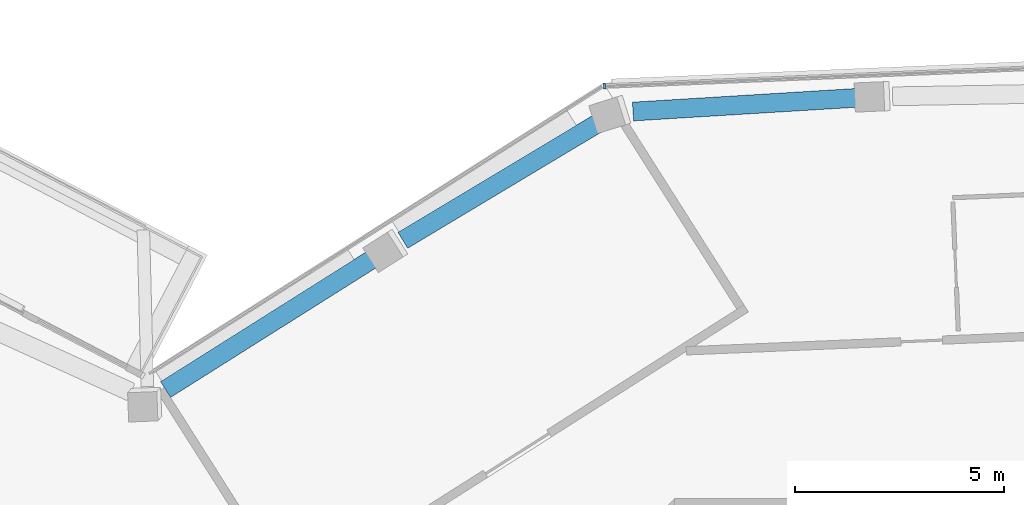
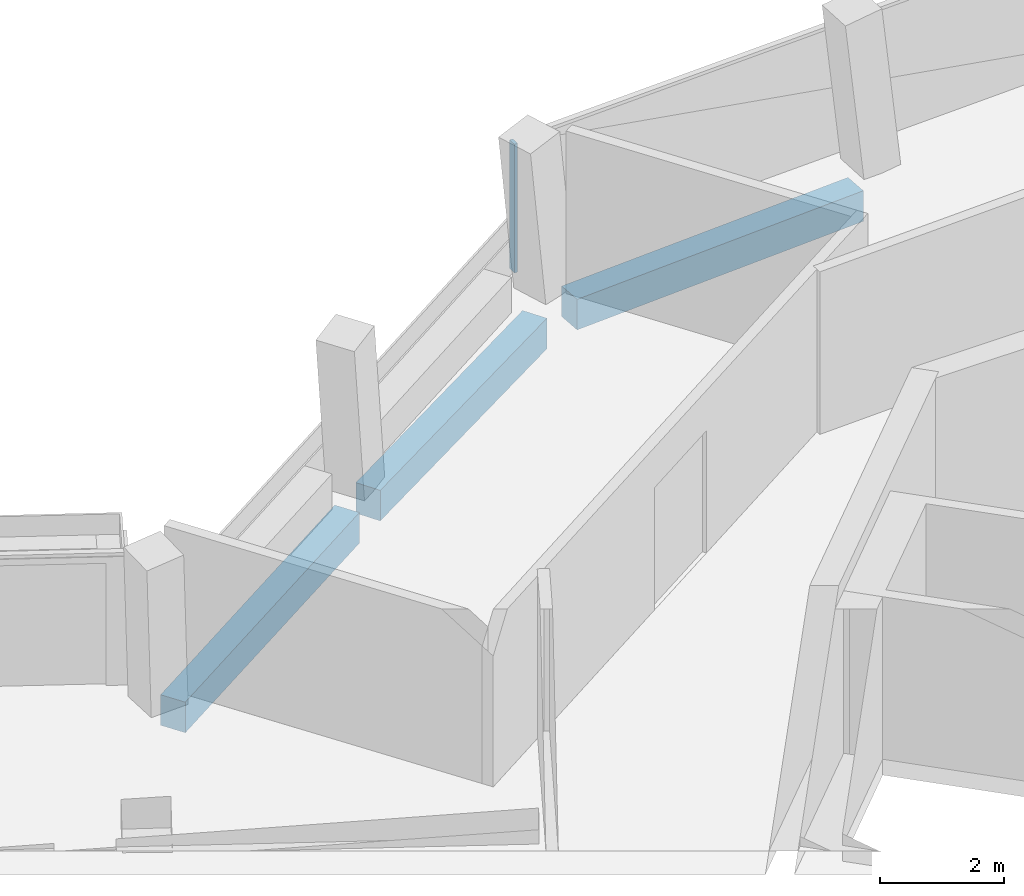
# One storey, part 6 of 23: 3 beams, 1 member, 1 element without a shape of its own.
"""IFC4 building model written with IfcOpenShell, lengths in metres."""

from ifc_helpers import new_model, si_unit, direction, frame, origin, origin_2d, place, context, subcontext, project, spatial, rectangle, extrude, material, layer, layer_set, material_profile, profile_set, type_object, element, aggregate, save


model = new_model("IFC4")

# Units and contexts
model_context = context("Model", 3, precision=1e-05, world=origin(), true_north=direction((0.0, 1.0)))
body_context = subcontext(model_context, "Body", "Model", "MODEL_VIEW")
ifc_project = project(units=[si_unit("LENGTHUNIT", "METRE"), si_unit("AREAUNIT", "SQUARE_METRE"), si_unit("VOLUMEUNIT", "CUBIC_METRE"), si_unit("PLANEANGLEUNIT", "RADIAN"), si_unit("MASSUNIT", "GRAM", prefix="KILO")], contexts=[model_context])

# Site, building, storey
site_placement = place(None, origin())
site = spatial("IfcSite", under=ifc_project, at=site_placement, CompositionType="ELEMENT")
building_placement = place(site_placement, origin())
building = spatial("IfcBuilding", under=site, at=building_placement, Name="Verdalira Terraces Hotel", CompositionType="ELEMENT")
storey_placement = place(building_placement, frame((0.0, 0.0, 288.0)))
storey = spatial("IfcBuildingStorey", under=building, at=storey_placement, Name="L71", CompositionType="ELEMENT", Elevation=288.0)

# Curtain wall, member
ifc_material_1 = material(Name="Clear glass", Category="glass")
ifc_layer = layer(ifc_material_1, 0.14990234375)
ifc_layer_set = layer_set([ifc_layer], Name="CW1 curtain wall")
curtain_wall_type = type_object("IfcCurtainWallType", Name="CW1 curtain wall", PredefinedType="NOTDEFINED", material=ifc_layer_set)
curtain_wall_placement = place(storey_placement, origin())
curtain_wall = element("IfcCurtainWall", 1, at=curtain_wall_placement, inside=storey, type_object=curtain_wall_type, Name="CW1 curtain wall L71 edge 40", PredefinedType="NOTDEFINED")
ifc_material_2 = material(Name="Terracotta frame", Category="masonry")
ifc_material_profile_1 = material_profile(ifc_material_2, rectangle(XDim=0.060059, YDim=0.149902, at=origin_2d()), Name="MU 60x150")
ifc_profile_set_1 = profile_set([ifc_material_profile_1], Name="Terracotta frame")
member_type = type_object("IfcMemberType", Name="CW1 mullion 60x150", PredefinedType="MULLION", material=ifc_profile_set_1)
member_placement = place(storey_placement, frame((-7.477051, 23.891113, 0.0), z_axis=(0.0, 0.0, 1.0), x_axis=(-0.99912283, -0.041875654, 0.0)))
member = element("IfcMember", 2, at=member_placement, type_object=member_type, Name="CW1 mullion", PredefinedType="MULLION", context=body_context, shape_type="SweptSolid", body=[
    extrude(rectangle(XDim=0.060059, YDim=0.149902, at=origin_2d()), origin(), (0.0, 0.0, 1.0), 2.524902),
])
aggregate(curtain_wall, [member])

# Beams
ifc_material_3 = material(Name="Concrete C40", Category="concrete")
ifc_material_profile_2 = material_profile(ifc_material_3, rectangle(XDim=0.449951, YDim=0.600098, at=origin_2d()), Name="RC 450X600")
ifc_profile_set_2 = profile_set([ifc_material_profile_2], Name="Concrete C40")
beam_type = type_object("IfcBeamType", Name="Spandrel beam RC 450X600 C40", PredefinedType="SPANDREL", material=ifc_profile_set_2)
beam_1_placement = place(storey_placement, frame((-1.283447, 23.617676, -0.610107), z_axis=(-0.998130923, -0.061111861, 0.0), x_axis=(0.061111861, -0.998130923, 0.0)))
element("IfcBeam", 3, at=beam_1_placement, inside=storey, type_object=beam_type, Name="Spandrel beam B27", PredefinedType="SPANDREL", context=body_context, shape_type="SweptSolid", body=[
    extrude(rectangle(XDim=0.449951, YDim=0.600098, at=origin_2d()), origin(), (0.0, 0.0, 1.0), 5.520996),
])
beam_2_placement = place(storey_placement, frame((-7.578857, 23.035156, -0.610107), z_axis=(-0.857524124, -0.514443754, 0.0), x_axis=(0.514443754, -0.857524124, 0.0)))
element("IfcBeam", 4, at=beam_2_placement, inside=storey, type_object=beam_type, Name="Spandrel beam B28", PredefinedType="SPANDREL", context=body_context, shape_type="SweptSolid", body=[
    extrude(rectangle(XDim=0.449951, YDim=0.600098, at=origin_2d()), origin(), (0.0, 0.0, 1.0), 5.523438),
])
beam_3_placement = place(storey_placement, frame((-12.918213, 19.822754, -0.610107), z_axis=(-0.845876611, -0.533378626, 0.0), x_axis=(0.533378626, -0.845876611, 0.0)))
element("IfcBeam", 5, at=beam_3_placement, inside=storey, type_object=beam_type, Name="Spandrel beam B29", PredefinedType="SPANDREL", context=body_context, shape_type="SweptSolid", body=[
    extrude(rectangle(XDim=0.449951, YDim=0.600098, at=origin_2d()), origin(), (0.0, 0.0, 1.0), 6.011719),
])

save(model, "model.ifc")
